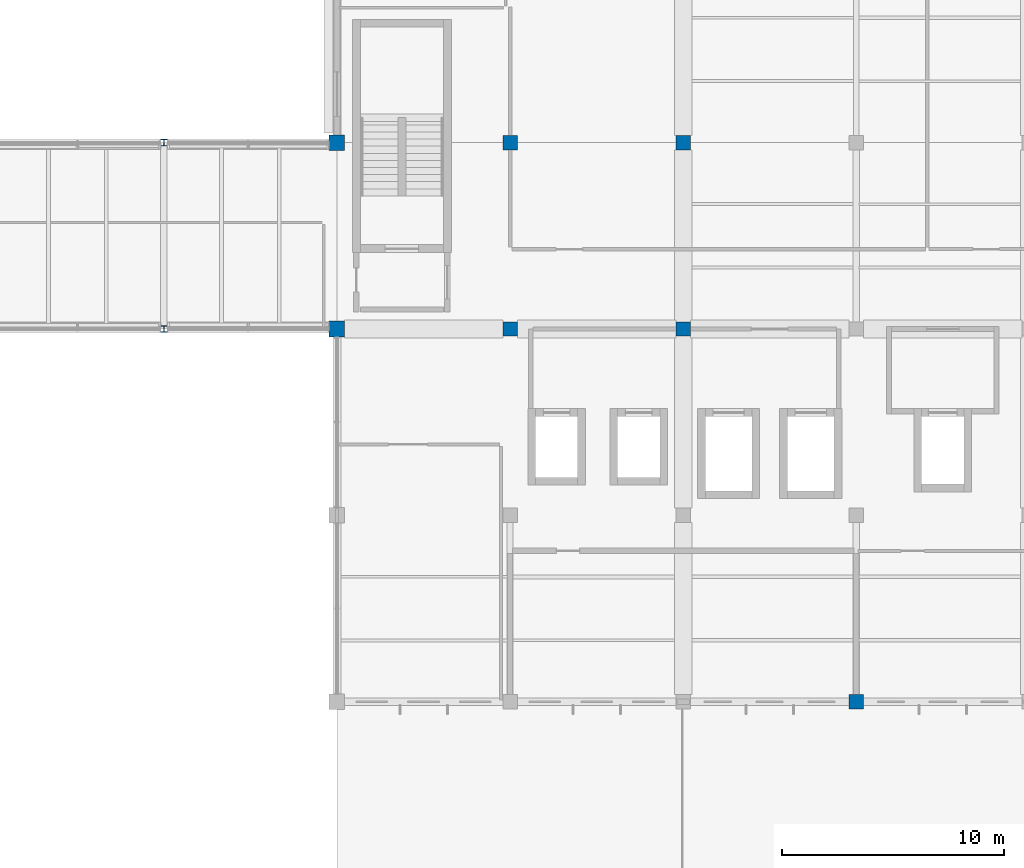
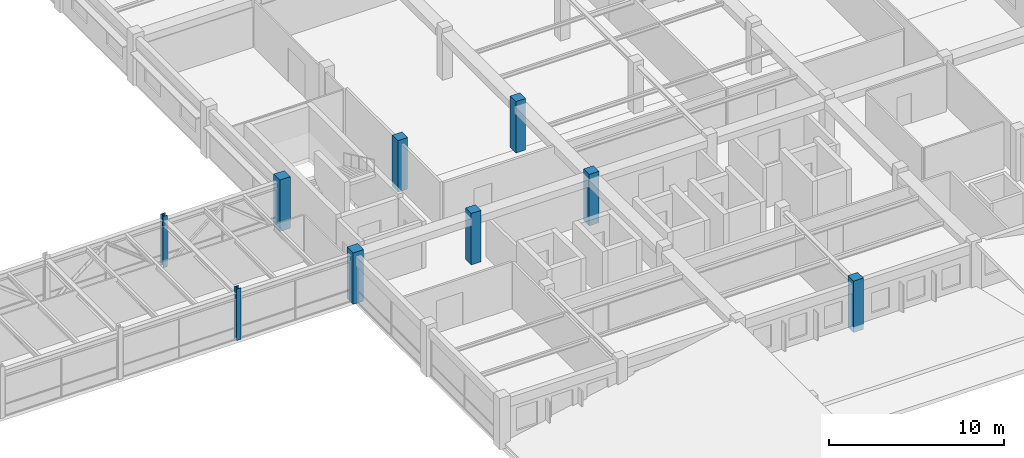
# One storey, part 4 of 49: 9 columns.
"""IFC4 building model written with IfcOpenShell, lengths in metres."""

from ifc_helpers import new_model, si_unit, direction, frame, origin, origin_2d, place, context, subcontext, project, spatial, rectangle, i_section, extrude, material, material_profile, profile_set, type_object, element, save


model = new_model("IFC4")

# Units and contexts
model_context = context("Model", 3, precision=1e-05, world=origin(), true_north=direction((0.0, 1.0)))
body_context = subcontext(model_context, "Body", "Model", "MODEL_VIEW")
ifc_project = project(units=[si_unit("LENGTHUNIT", "METRE"), si_unit("AREAUNIT", "SQUARE_METRE"), si_unit("VOLUMEUNIT", "CUBIC_METRE"), si_unit("PLANEANGLEUNIT", "RADIAN"), si_unit("MASSUNIT", "GRAM", prefix="KILO"), si_unit("THERMODYNAMICTEMPERATUREUNIT", "KELVIN"), si_unit("POWERUNIT", "WATT")], contexts=[model_context])

# Site, building, storey
site_placement = place(None, origin())
site = spatial("IfcSite", under=ifc_project, at=site_placement, CompositionType="ELEMENT")
building_placement = place(site_placement, origin())
building = spatial("IfcBuilding", under=site, at=building_placement, Name="Srebrne Nadtorze General Hospital", CompositionType="ELEMENT")
storey_placement = place(building_placement, frame((0.0, 0.0, 26.10009765625)))
storey = spatial("IfcBuildingStorey", under=building, at=storey_placement, Name="L06", CompositionType="ELEMENT", Elevation=26.10009765625)

# Columns
ifc_material_1 = material(Name="Concrete C35/45", Category="concrete")
ifc_material_profile_1 = material_profile(ifc_material_1, rectangle(XDim=0.64990234375, YDim=0.64990234375, at=origin_2d()), Name="RC-COL-650x650")
ifc_profile_set_1 = profile_set([ifc_material_profile_1], Name="Concrete C35/45")
column_type_1 = type_object("IfcColumnType", Name="Reinforced concrete column 650x650", PredefinedType="COLUMN", material=ifc_profile_set_1)
for number, where, z_axis, x_axis, name in (
    (1, (109.199951171875, 50.39990234375, 0.0), (0.0, 0.0, 1.0), (1.0, 0.0, 0.0), "Column CL-L06-15-G"),
    (2, (109.199951171875, 58.800048828125, 0.0), (0.0, 0.0, 1.0), (1.0, 0.0, 0.0), "Column CL-L06-15-H"),
    (3, (117.0, 50.39990234375, 0.0), (0.0, 0.0, 1.0), (1.0, 0.0, 0.0), "Column CL-L06-16-G"),
    (4, (117.0, 58.800048828125, 0.0), (0.0, 0.0, 1.0), (1.0, 0.0, 0.0), "Column CL-L06-16-H"),
    (5, (124.800048828125, 33.60009765625, 0.0), (0.0, 0.0, 1.0), (1.0, 0.0, 0.0), "Column CL-L06-17-E"),
):
    element("IfcColumn", number, at=place(storey_placement, frame(where, z_axis=z_axis, x_axis=x_axis)), inside=storey, type_object=column_type_1, Name=name, PredefinedType="COLUMN", context=body_context, shape_type="SweptSolid", body=[
        extrude(rectangle(XDim=0.64990234375, YDim=0.64990234375, at=origin_2d()), origin(), (0.0, 0.0, 1.0), 3.599853515625),
    ])
ifc_material_2 = material(Name="Concrete C40/50", Category="concrete")
ifc_material_profile_2 = material_profile(ifc_material_2, rectangle(XDim=0.699951171875, YDim=0.699951171875, at=origin_2d()), Name="RC-COL-700x700")
ifc_profile_set_2 = profile_set([ifc_material_profile_2], Name="Concrete C40/50")
column_type_2 = type_object("IfcColumnType", Name="Reinforced concrete column 700x700", PredefinedType="COLUMN", material=ifc_profile_set_2)
for number, where, z_axis, x_axis, name in (
    (6, (101.39990234375, 50.39990234375, 0.0), (0.0, 0.0, 1.0), (1.0, 0.0, 0.0), "Column CL-L06-14-G"),
    (7, (101.39990234375, 58.800048828125, 0.0), (0.0, 0.0, 1.0), (1.0, 0.0, 0.0), "Column CL-L06-14-H"),
):
    element("IfcColumn", number, at=place(storey_placement, frame(where, z_axis=z_axis, x_axis=x_axis)), inside=storey, type_object=column_type_2, Name=name, PredefinedType="COLUMN", context=body_context, shape_type="SweptSolid", body=[
        extrude(rectangle(XDim=0.699951171875, YDim=0.699951171875, at=origin_2d()), origin(), (0.0, 0.0, 1.0), 3.599853515625),
    ])
ifc_material_3 = material(Name="Steel S355J2", Category="steel")
ifc_material_profile_3 = material_profile(ifc_material_3, i_section(OverallWidth=0.300048828125, OverallDepth=0.300048828125, WebThickness=0.010986328125, FlangeThickness=0.01904296875, FilletRadius=0.027099609375, at=origin_2d()), Name="HEB-300")
ifc_profile_set_3 = profile_set([ifc_material_profile_3], Name="Steel S355J2")
column_type_3 = type_object("IfcColumnType", Name="Steel column HEB 300", PredefinedType="COLUMN", material=ifc_profile_set_3)
for number, where, z_axis, x_axis, name in (
    (8, (93.60009765625, 50.39990234375, 0.0), (0.0, 0.0, 1.0), (1.0, 0.0, 0.0), "Column CL-L06-13-G"),
    (9, (93.60009765625, 58.800048828125, 0.0), (0.0, 0.0, 1.0), (1.0, 0.0, 0.0), "Column CL-L06-13-H"),
):
    element("IfcColumn", number, at=place(storey_placement, frame(where, z_axis=z_axis, x_axis=x_axis)), inside=storey, type_object=column_type_3, Name=name, PredefinedType="COLUMN", context=body_context, shape_type="SweptSolid", body=[
        extrude(i_section(OverallWidth=0.300048828125, OverallDepth=0.300048828125, WebThickness=0.010986328125, FlangeThickness=0.01904296875, FilletRadius=0.027099609375, at=origin_2d()), origin(), (0.0, 0.0, 1.0), 3.599853515625),
    ])

save(model, "model.ifc")
